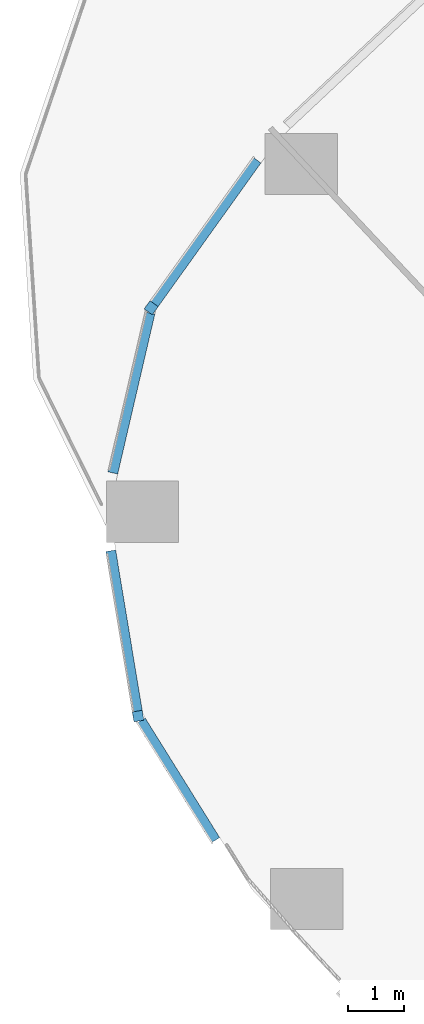
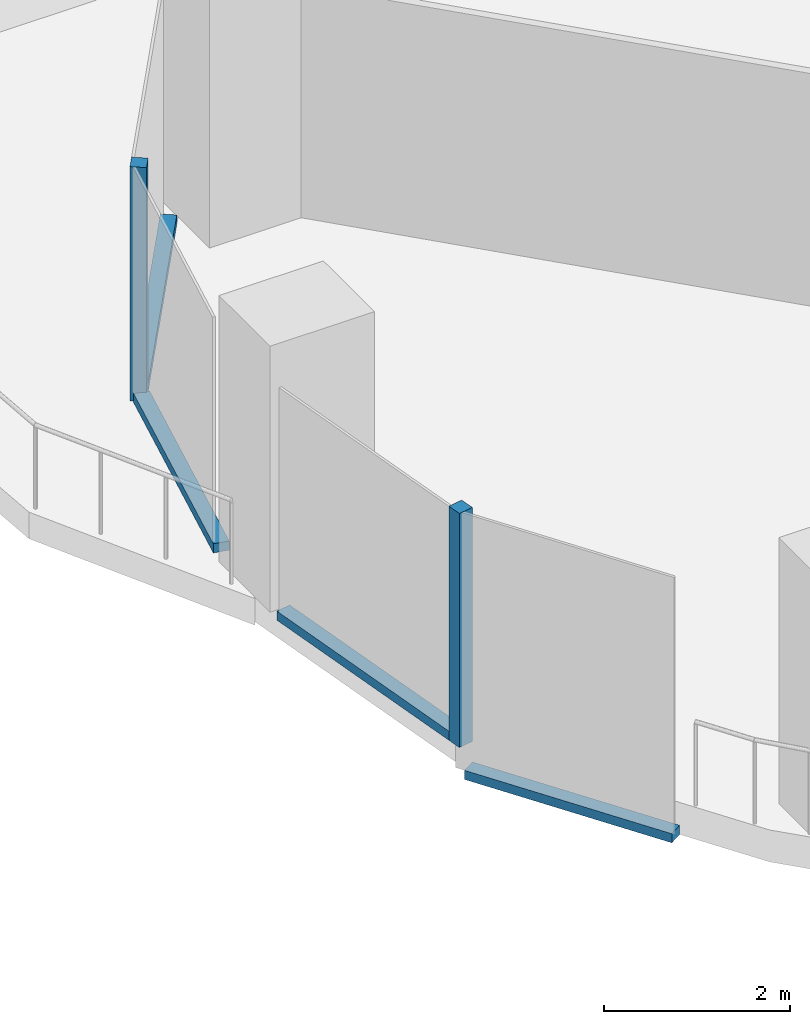
# One storey, part 3 of 34: 6 members, 4 elements without a shape of their own.
"""IFC4 building model written with IfcOpenShell, lengths in metres."""

from ifc_helpers import new_model, si_unit, direction, frame, origin, origin_2d, place, context, subcontext, project, spatial, rectangle, extrude, material, material_profile, profile_set, type_object, element, aggregate, save


model = new_model("IFC4")

# Units and contexts
model_context = context("Model", 3, precision=1e-05, world=origin(), true_north=direction((0.0, 1.0)))
body_context = subcontext(model_context, "Body", "Model", "MODEL_VIEW")
ifc_project = project(units=[si_unit("LENGTHUNIT", "METRE"), si_unit("AREAUNIT", "SQUARE_METRE"), si_unit("VOLUMEUNIT", "CUBIC_METRE"), si_unit("PLANEANGLEUNIT", "RADIAN"), si_unit("MASSUNIT", "GRAM", prefix="KILO")], contexts=[model_context])

# Site, building, storey
site_placement = place(None, origin())
site = spatial("IfcSite", under=ifc_project, at=site_placement, CompositionType="ELEMENT")
building_placement = place(site_placement, origin())
building = spatial("IfcBuilding", under=site, at=building_placement, Name="Orlundy Tower", CompositionType="ELEMENT")
storey_placement = place(building_placement, frame((0.0, 0.0, 37.300048828125)))
storey = spatial("IfcBuildingStorey", under=building, at=storey_placement, Name="L07", CompositionType="ELEMENT", Elevation=37.300048828125)

# Curtain wall, member
ifc_material_1 = material(Name="Aluminium bronze anodised", Category="aluminium")
curtain_wall_type = type_object("IfcCurtainWallType", Name="CW1 wall", PredefinedType="NOTDEFINED", material=ifc_material_1)
curtain_wall_1_placement = place(storey_placement, origin())
curtain_wall_1 = element("IfcCurtainWall", 1, at=curtain_wall_1_placement, inside=storey, type_object=curtain_wall_type, Name="CW1 run 025", PredefinedType="NOTDEFINED")
ifc_material_2 = material(Name="Aluminium bronze anodised", Category="aluminium")
ifc_material_profile_1 = material_profile(ifc_material_2, rectangle(XDim=0.179931640625, YDim=0.179931640625, at=origin_2d()), Name="CW1 corner post 180x180")
ifc_profile_set_1 = profile_set([ifc_material_profile_1], Name="Aluminium bronze anodised")
member_type_1 = type_object("IfcMemberType", Name="CW1 corner post 180x180", PredefinedType="MULLION", material=ifc_profile_set_1)
member_1_placement = place(storey_placement, frame((-53.35595703125, -30.617431640625, 0.0), z_axis=(0.0, 0.0, 1.0), x_axis=(-0.986546608379, -0.163480241914, 0.0)))
member_1 = element("IfcMember", 2, at=member_1_placement, type_object=member_type_1, Name="CW1 mullion 66", PredefinedType="MULLION", context=body_context, shape_type="SweptSolid", body=[
    extrude(rectangle(XDim=0.179931640625, YDim=0.179931640625, at=origin_2d()), origin(), (0.0, 0.0, 1.0), 3.079833984375),
])

curtain_wall_2_placement = place(storey_placement, origin())
curtain_wall_2 = element("IfcCurtainWall", 3, at=curtain_wall_2_placement, inside=storey, type_object=curtain_wall_type, Name="CW1 run 027", PredefinedType="NOTDEFINED")
member_2_placement = place(storey_placement, frame((-53.12060546875, -23.279296875, 0.0), z_axis=(0.0, 0.0, 1.0), x_axis=(-0.813204454711, 0.58197810512, 0.0)))
member_2 = element("IfcMember", 4, at=member_2_placement, type_object=member_type_1, Name="CW1 mullion 68", PredefinedType="MULLION", context=body_context, shape_type="SweptSolid", body=[
    extrude(rectangle(XDim=0.179931640625, YDim=0.179931640625, at=origin_2d()), origin(), (0.0, 0.0, 1.0), 3.079833984375),
])

curtain_wall_3_placement = place(storey_placement, origin())
curtain_wall_3 = element("IfcCurtainWall", 5, at=curtain_wall_3_placement, inside=storey, type_object=curtain_wall_type, Name="CW1 run 024", PredefinedType="NOTDEFINED")
ifc_material_3 = material(Name="Aluminium bronze anodised", Category="aluminium")
ifc_material_profile_2 = material_profile(ifc_material_3, rectangle(XDim=0.179931640625, YDim=0.1201171875, at=origin_2d()), Name="CW1 transom 180x120")
ifc_profile_set_2 = profile_set([ifc_material_profile_2], Name="Aluminium bronze anodised")
member_type_2 = type_object("IfcMemberType", Name="CW1 transom 180x120", PredefinedType="USERDEFINED", material=ifc_profile_set_2)
member_3_placement = place(storey_placement, frame((-51.966064453125, -32.84814453125, -0.360107421875), z_axis=(-0.5288364932, 0.848723726227, 0.0), x_axis=(-0.848723726227, -0.5288364932, 0.0)))
member_3 = element("IfcMember", 6, at=member_3_placement, type_object=member_type_2, Name="CW1 transom", ObjectType="TRANSOM", PredefinedType="USERDEFINED", context=body_context, shape_type="SweptSolid", body=[
    extrude(rectangle(XDim=0.179931640625, YDim=0.1201171875, at=origin_2d()), origin(), (0.0, 0.0, 1.0), 2.53076171875),
])
aggregate(curtain_wall_3, [member_3])

# Member
member_4_placement = place(storey_placement, frame((-53.37060546875, -30.528564453125, 0.06005859375), z_axis=(-0.163490786089, 0.98654486105, 0.0), x_axis=(-0.98654486105, -0.163490786089, 0.0)))
member_4 = element("IfcMember", 7, at=member_4_placement, type_object=member_type_2, Name="CW1 transom", ObjectType="TRANSOM", PredefinedType="USERDEFINED", context=body_context, shape_type="SweptSolid", body=[
    extrude(rectangle(XDim=0.179931640625, YDim=0.1201171875, at=origin_2d()), origin(), (0.0, 0.0, 1.0), 2.9208984375),
])

aggregate(curtain_wall_1, [member_1, member_4])

# Curtain wall, member
curtain_wall_4_placement = place(storey_placement, origin())
curtain_wall_4 = element("IfcCurtainWall", 8, at=curtain_wall_4_placement, inside=storey, type_object=curtain_wall_type, Name="CW1 run 026", PredefinedType="NOTDEFINED")
member_5_placement = place(storey_placement, frame((-53.81005859375, -26.2470703125, 0.06005859375), z_axis=(0.226298002237, 0.97405811643, 0.0), x_axis=(-0.97405811643, 0.226298002237, 0.0)))
member_5 = element("IfcMember", 9, at=member_5_placement, type_object=member_type_2, Name="CW1 transom", ObjectType="TRANSOM", PredefinedType="USERDEFINED", context=body_context, shape_type="SweptSolid", body=[
    extrude(rectangle(XDim=0.179931640625, YDim=0.1201171875, at=origin_2d()), origin(), (0.0, 0.0, 1.0), 2.949462890625),
])
aggregate(curtain_wall_4, [member_5])

# Member
member_6_placement = place(storey_placement, frame((-53.068115234375, -23.2060546875, 0.06005859375), z_axis=(0.581943728073, 0.813229055898, 0.0), x_axis=(-0.813229055898, 0.581943728073, 0.0)))
member_6 = element("IfcMember", 10, at=member_6_placement, type_object=member_type_2, Name="CW1 transom", ObjectType="TRANSOM", PredefinedType="USERDEFINED", context=body_context, shape_type="SweptSolid", body=[
    extrude(rectangle(XDim=0.179931640625, YDim=0.1201171875, at=origin_2d()), origin(), (0.0, 0.0, 1.0), 3.174072265625),
])

aggregate(curtain_wall_2, [member_2, member_6])

save(model, "model.ifc")
